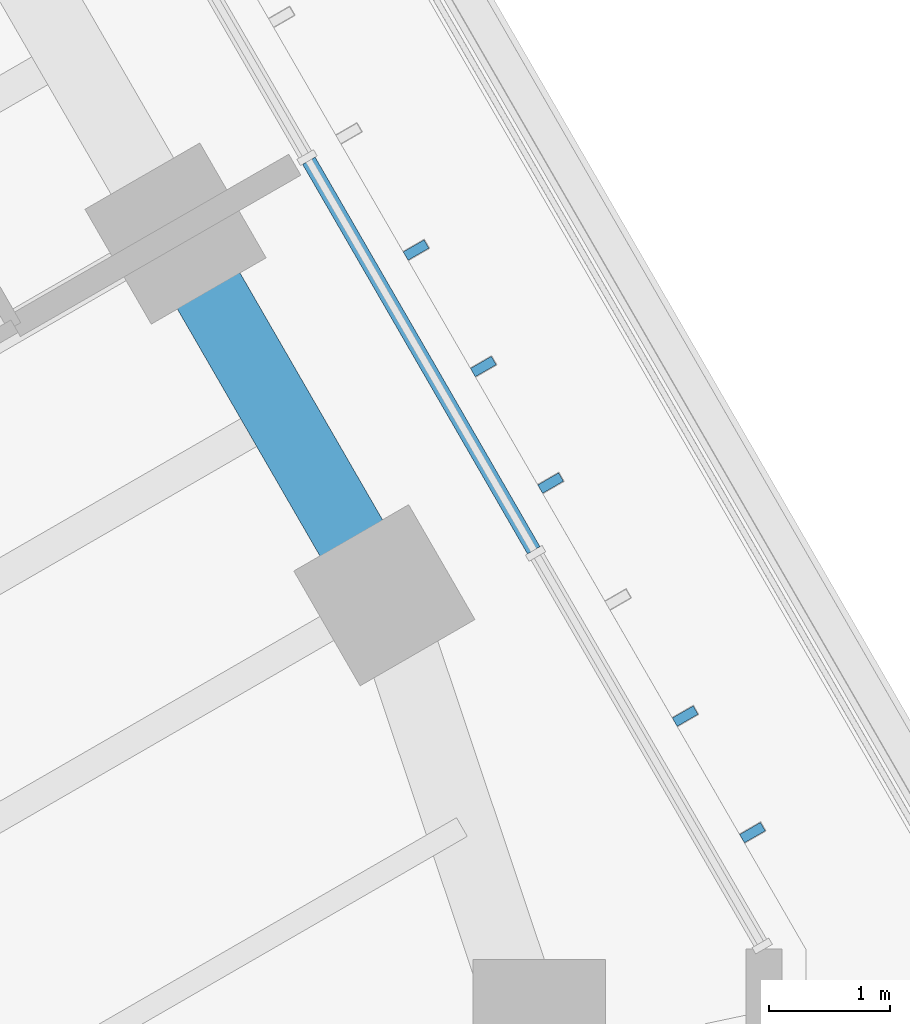
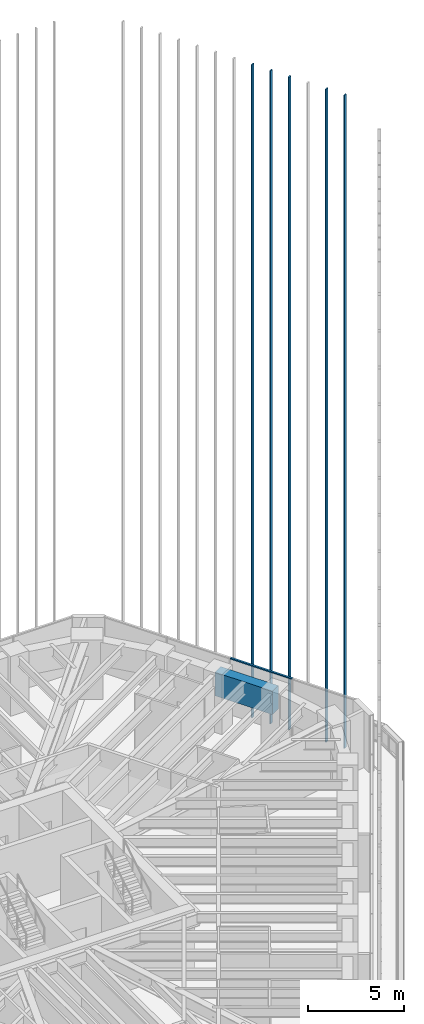
# One storey, part 116 of 127: 6 members, 1 beam, 1 element without a shape of its own.
"""IFC4 building model written with IfcOpenShell, lengths in metres."""

from ifc_helpers import new_model, si_unit, direction, frame, origin, origin_2d, place, context, subcontext, project, spatial, rectangle, extrude, material, material_profile, profile_set, type_object, element, aggregate, save


model = new_model("IFC4")

# Units and contexts
model_context = context("Model", 3, precision=1e-05, world=origin(), true_north=direction((0.0, 1.0)))
body_context = subcontext(model_context, "Body", "Model", "MODEL_VIEW")
ifc_project = project(units=[si_unit("LENGTHUNIT", "METRE"), si_unit("AREAUNIT", "SQUARE_METRE"), si_unit("VOLUMEUNIT", "CUBIC_METRE"), si_unit("PLANEANGLEUNIT", "RADIAN"), si_unit("MASSUNIT", "GRAM", prefix="KILO")], contexts=[model_context])

# Site, building, storey
site_placement = place(None, origin())
site = spatial("IfcSite", under=ifc_project, at=site_placement, CompositionType="ELEMENT")
building_placement = place(site_placement, origin())
building = spatial("IfcBuilding", under=site, at=building_placement, Name="Sandreach Pilgrim Tower", CompositionType="ELEMENT")
storey_placement = place(building_placement, frame((0.0, 0.0, 257.0)))
storey = spatial("IfcBuildingStorey", under=building, at=storey_placement, Name="L64", CompositionType="ELEMENT", Elevation=257.0)

# Curtain wall, member
ifc_material_1 = material(Name="Aluminium framed curtain wall", Category="aluminium")
curtain_wall_type = type_object("IfcCurtainWallType", Name="Suite tower curtain wall", PredefinedType="NOTDEFINED", material=ifc_material_1)
curtain_wall_placement = place(storey_placement, origin())
curtain_wall = element("IfcCurtainWall", 1, at=curtain_wall_placement, inside=storey, type_object=curtain_wall_type, Name="CW-4 L64 NE", PredefinedType="NOTDEFINED")
ifc_material_2 = material(Name="Aluminium extrusion", Category="aluminium")
ifc_material_profile_1 = material_profile(ifc_material_2, rectangle(XDim=0.1201171875, YDim=0.070068359375, at=origin_2d()), Name="CW-4T 120X70")
ifc_profile_set_1 = profile_set([ifc_material_profile_1], Name="Aluminium extrusion")
member_type_1 = type_object("IfcMemberType", Name="CW-4 transom", PredefinedType="USERDEFINED", material=ifc_profile_set_1)
member_1_placement = place(storey_placement, frame((21.542724609375, 12.403076171875, 3.60498046875), z_axis=(0.499981083104, -0.866036325184, 0.0), x_axis=(0.866036325184, 0.499981083104, 0.0)))
member_1 = element("IfcMember", 2, at=member_1_placement, type_object=member_type_1, Name="CW-4 head transom 3", ObjectType="TRANSOM", PredefinedType="USERDEFINED", context=body_context, shape_type="SweptSolid", body=[
    extrude(rectangle(XDim=0.1201171875, YDim=0.070068359375, at=origin_2d()), origin(), (0.0, 0.0, 1.0), 3.731689453125),
])

# Beam
ifc_material_3 = material(Name="Concrete 10000 psi", Category="concrete")
ifc_material_profile_2 = material_profile(ifc_material_3, rectangle(XDim=0.60009765625, YDim=1.5, at=origin_2d()), Name="RC600X1500")
ifc_profile_set_2 = profile_set([ifc_material_profile_2], Name="Concrete 10000 psi")
beam_type = type_object("IfcBeamType", Name="Spandrel beam RC600X1500", PredefinedType="SPANDREL", material=ifc_profile_set_2)
beam_placement = place(storey_placement, frame((20.4365234375, 11.799072265625, 2.889892578125), z_axis=(0.499980616072, -0.866036594811, 0.0), x_axis=(0.866036594811, 0.499980616072, 0.0)))
element("IfcBeam", 3, at=beam_placement, inside=storey, type_object=beam_type, Name="BM L64 SP11", PredefinedType="SPANDREL", context=body_context, shape_type="SweptSolid", body=[
    extrude(rectangle(XDim=0.60009765625, YDim=1.5, at=origin_2d()), origin(), (0.0, 0.0, 1.0), 3.465576171875),
])

# Member
ifc_material_4 = material(Name="Extruded terracotta on aluminium core", Category="masonry")
ifc_material_profile_3 = material_profile(ifc_material_4, rectangle(XDim=0.080078125, YDim=0.199951171875, at=origin_2d()), Name="TBE 80X200")
ifc_profile_set_3 = profile_set([ifc_material_profile_3], Name="Extruded terracotta on aluminium core")
member_type_2 = type_object("IfcMemberType", Name="Terracotta baguette east", PredefinedType="USERDEFINED", material=ifc_profile_set_3)
member_2_placement = place(storey_placement, frame((22.432373046875, 11.662353515625, 0.0), z_axis=(0.0, 0.0, 1.0), x_axis=(0.5, -0.866025403784, 0.0)))
member_2 = element("IfcMember", 4, at=member_2_placement, type_object=member_type_2, Name="Baguette Z4 NE08", ObjectType="BAGUETTE", PredefinedType="USERDEFINED", context=body_context, shape_type="SweptSolid", body=[
    extrude(rectangle(XDim=0.080078125, YDim=0.199951171875, at=origin_2d()), origin(), (0.0, 0.0, 1.0), 41.639892578125),
])

member_3_placement = place(storey_placement, frame((22.990478515625, 10.695556640625, 0.0), z_axis=(0.0, 0.0, 1.0), x_axis=(0.5, -0.866025403784, 0.0)))
member_3 = element("IfcMember", 5, at=member_3_placement, type_object=member_type_2, Name="Baguette Z4 NE09", ObjectType="BAGUETTE", PredefinedType="USERDEFINED", context=body_context, shape_type="SweptSolid", body=[
    extrude(rectangle(XDim=0.080078125, YDim=0.199951171875, at=origin_2d()), origin(), (0.0, 0.0, 1.0), 41.639892578125),
])

member_4_placement = place(storey_placement, frame((23.548583984375, 9.728759765625, 0.0), z_axis=(0.0, 0.0, 1.0), x_axis=(0.5, -0.866025403784, 0.0)))
member_4 = element("IfcMember", 6, at=member_4_placement, type_object=member_type_2, Name="Baguette Z4 NE10", ObjectType="BAGUETTE", PredefinedType="USERDEFINED", context=body_context, shape_type="SweptSolid", body=[
    extrude(rectangle(XDim=0.080078125, YDim=0.199951171875, at=origin_2d()), origin(), (0.0, 0.0, 1.0), 41.639892578125),
])

member_5_placement = place(storey_placement, frame((24.6650390625, 7.795166015625, 0.0), z_axis=(0.0, 0.0, 1.0), x_axis=(0.5, -0.866025403784, 0.0)))
member_5 = element("IfcMember", 7, at=member_5_placement, type_object=member_type_2, Name="Baguette Z4 NE12", ObjectType="BAGUETTE", PredefinedType="USERDEFINED", context=body_context, shape_type="SweptSolid", body=[
    extrude(rectangle(XDim=0.080078125, YDim=0.199951171875, at=origin_2d()), origin(), (0.0, 0.0, 1.0), 41.639892578125),
])

member_6_placement = place(storey_placement, frame((25.22314453125, 6.828369140625, 0.0), z_axis=(0.0, 0.0, 1.0), x_axis=(0.5, -0.866025403784, 0.0)))
member_6 = element("IfcMember", 8, at=member_6_placement, type_object=member_type_2, Name="Baguette Z4 NE13", ObjectType="BAGUETTE", PredefinedType="USERDEFINED", context=body_context, shape_type="SweptSolid", body=[
    extrude(rectangle(XDim=0.080078125, YDim=0.199951171875, at=origin_2d()), origin(), (0.0, 0.0, 1.0), 41.639892578125),
])

aggregate(curtain_wall, [member_1, member_2, member_3, member_4, member_5, member_6])

save(model, "model.ifc")
